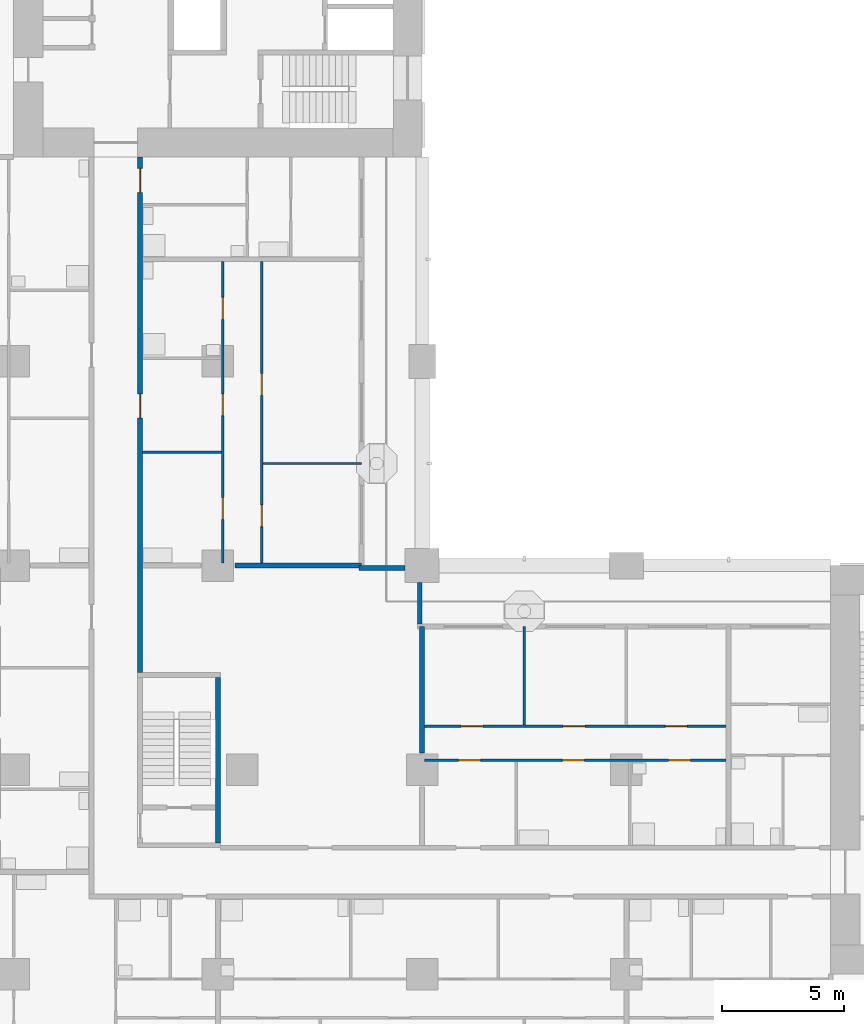
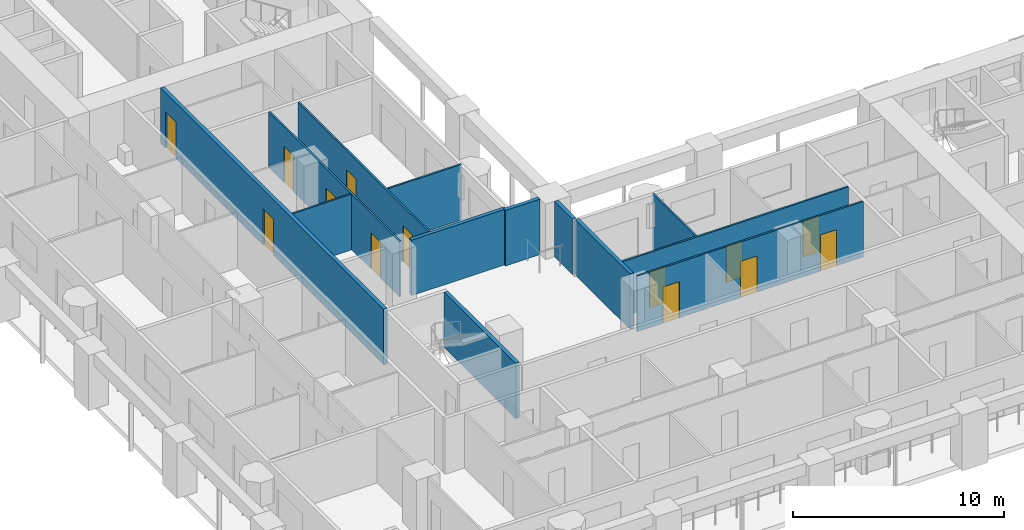
# One storey, part 4 of 20: 13 doors, 13 walls, 13 openings.
"""IFC4 building model written with IfcOpenShell, lengths in metres."""

from ifc_helpers import new_model, si_unit, direction, frame, frame_2d, origin, place, context, subcontext, project, spatial, rectangle, extrude, material, layer, layer_set, type_object, element, fill, save


model = new_model("IFC4")

# Units and contexts
model_context = context("Model", 3, precision=1e-05, world=origin(), true_north=direction((0.0, 1.0)))
body_context = subcontext(model_context, "Body", "Model", "MODEL_VIEW")
ifc_project = project(units=[si_unit("LENGTHUNIT", "METRE"), si_unit("AREAUNIT", "SQUARE_METRE"), si_unit("VOLUMEUNIT", "CUBIC_METRE"), si_unit("PLANEANGLEUNIT", "RADIAN"), si_unit("MASSUNIT", "GRAM", prefix="KILO")], contexts=[model_context])

# Site, building, storey
site_placement = place(None, origin())
site = spatial("IfcSite", under=ifc_project, at=site_placement, CompositionType="ELEMENT")
building_placement = place(site_placement, origin())
building = spatial("IfcBuilding", under=site, at=building_placement, Name="Vermilion Gate Residences", CompositionType="ELEMENT")
storey_placement = place(building_placement, frame((0.0, 0.0, 42.699951171875)))
storey = spatial("IfcBuildingStorey", under=building, at=storey_placement, Name="L09", CompositionType="ELEMENT", Elevation=42.699951171875)

# Walls
ifc_material_1 = material(Name="Insulated steel stud wall with terracotta rainscreen", Category="masonry")
ifc_layer_1 = layer(ifc_material_1, 0.199951171875)
ifc_layer_set_1 = layer_set([ifc_layer_1], Name="EXTERNAL WALL 200 TERRACOTTA RAINSCREEN")
wall_type_1 = type_object("IfcWallType", Name="EXTERNAL WALL 200 TERRACOTTA RAINSCREEN", PredefinedType="SOLIDWALL", material=ifc_layer_set_1)
wall_1_placement = place(storey_placement, frame((25.10009765625, 22.800048828125, 0.0), z_axis=(0.0, 0.0, 1.0), x_axis=(0.0, 1.0, 0.0)))
element("IfcWall", 1, at=wall_1_placement, inside=storey, type_object=wall_type_1, Name="External wall", PredefinedType="SOLIDWALL", context=body_context, shape_type="SweptSolid", body=[
    extrude(rectangle(XDim=1.699951171875, YDim=0.199951171875, at=frame_2d((0.85009765625, 0.0))), origin(), (0.0, 0.0, 1.0), 3.219970703125),
])
wall_2_placement = place(storey_placement, frame((24.5, 25.10009765625, 0.0), z_axis=(0.0, 0.0, 1.0), x_axis=(-1.0, 0.0, 0.0)))
element("IfcWall", 2, at=wall_2_placement, inside=storey, type_object=wall_type_1, Name="External wall", PredefinedType="SOLIDWALL", context=body_context, shape_type="SweptSolid", body=[
    extrude(rectangle(XDim=1.89990234375, YDim=0.199951171875, at=frame_2d((0.949951171875, 0.0))), origin(), (0.0, 0.0, 1.0), 3.219970703125),
])

# Wall, openings, doors
ifc_material_2 = material(Name="Plasterboard on steel studs", Category="steel")
ifc_layer_2 = layer(ifc_material_2, 0.10009765625)
ifc_layer_set_2 = layer_set([ifc_layer_2], Name="PARTITION 100")
wall_type_2 = type_object("IfcWallType", Name="PARTITION 100", PredefinedType="PARTITIONING", material=ifc_layer_set_2)
wall_3_placement = place(storey_placement, frame((25.300048828125, 17.199951171875, 0.0), z_axis=(0.0, 0.0, 1.0), x_axis=(1.0, 0.0, 0.0)))
wall_3 = element("IfcWall", 3, at=wall_3_placement, inside=storey, type_object=wall_type_2, Name="Partition", PredefinedType="PARTITIONING", context=body_context, shape_type="SweptSolid", body=[
    extrude(rectangle(XDim=12.39990234375, YDim=0.10009765625, at=frame_2d((6.199951171875, 0.0))), origin(), (0.0, 0.0, 1.0), 3.219970703125),
])
opening_1_placement = place(wall_3_placement, frame((1.39990234375, 0.0, 0.0)))
opening_1 = element("IfcOpeningElement", 4, at=opening_1_placement, cuts=wall_3, Name="Opening DA07027", PredefinedType="OPENING", context=body_context, shape_type="SweptSolid", body=[
    extrude(rectangle(XDim=0.89990234375, YDim=2.10009765625, at=frame_2d((0.449951171875, 1.050048828125))), frame((0.0, 0.06005859375, 0.0), z_axis=(0.0, -1.0, 0.0), x_axis=(1.0, 0.0, 0.0)), (0.0, 0.0, 1.0), 0.1201171875),
])
opening_2_placement = place(wall_3_placement, frame((5.6669921875, 0.0, 0.0)))
opening_2 = element("IfcOpeningElement", 5, at=opening_2_placement, cuts=wall_3, Name="Opening DA07028", PredefinedType="OPENING", context=body_context, shape_type="SweptSolid", body=[
    extrude(rectangle(XDim=0.89990234375, YDim=2.10009765625, at=frame_2d((0.449951171875, 1.050048828125))), frame((0.0, 0.06005859375, 0.0), z_axis=(0.0, -1.0, 0.0), x_axis=(1.0, 0.0, 0.0)), (0.0, 0.0, 1.0), 0.1201171875),
])
opening_3_placement = place(wall_3_placement, frame((10.032958984375, 0.0, 0.0)))
opening_3 = element("IfcOpeningElement", 6, at=opening_3_placement, cuts=wall_3, Name="Opening DA07029", PredefinedType="OPENING", context=body_context, shape_type="SweptSolid", body=[
    extrude(rectangle(XDim=0.89990234375, YDim=2.10009765625, at=frame_2d((0.449951171875, 1.050048828125))), frame((0.0, 0.06005859375, 0.0), z_axis=(0.0, -1.0, 0.0), x_axis=(1.0, 0.0, 0.0)), (0.0, 0.0, 1.0), 0.1201171875),
])
ifc_material_3 = material(Name="Timber", Category="wood")
door_type_1 = type_object("IfcDoorType", Name="INTERIOR DOOR 900 X 2100", OperationType="SINGLE_SWING_LEFT", PredefinedType="DOOR", material=ifc_material_3)
door_1_placement = place(opening_1_placement, frame((0.89990234375, 0.0, 0.0), z_axis=(0.0, 0.0, 1.0), x_axis=(-1.0, 0.0, 0.0)))
door_1 = element("IfcDoor", 7, at=door_1_placement, inside=storey, type_object=door_type_1, Name="Interior door", OperationType="SINGLE_SWING_RIGHT", OverallHeight=2.10009765625, OverallWidth=0.89990234375, PredefinedType="DOOR", context=body_context, shape_type="SweptSolid", body=[
    extrude(rectangle(XDim=0.89990234375, YDim=2.10009765625, at=frame_2d((0.449951171875, 1.050048828125))), frame((0.0, 0.02490234375, 0.0), z_axis=(0.0, -1.0, 0.0), x_axis=(1.0, 0.0, 0.0)), (0.0, 0.0, 1.0), 0.050048828125),
])
fill(opening_1, door_1)
door_2_placement = place(opening_2_placement, frame((0.89990234375, 0.0, 0.0), z_axis=(0.0, 0.0, 1.0), x_axis=(-1.0, 0.0, 0.0)))
door_2 = element("IfcDoor", 8, at=door_2_placement, inside=storey, type_object=door_type_1, Name="Interior door", OperationType="SINGLE_SWING_LEFT", OverallHeight=2.10009765625, OverallWidth=0.89990234375, PredefinedType="DOOR", context=body_context, shape_type="SweptSolid", body=[
    extrude(rectangle(XDim=0.89990234375, YDim=2.10009765625, at=frame_2d((0.449951171875, 1.050048828125))), frame((0.0, 0.02490234375, 0.0), z_axis=(0.0, -1.0, 0.0), x_axis=(1.0, 0.0, 0.0)), (0.0, 0.0, 1.0), 0.050048828125),
])
fill(opening_2, door_2)
door_3_placement = place(opening_3_placement, frame((0.89990234375, 0.0, 0.0), z_axis=(0.0, 0.0, 1.0), x_axis=(-1.0, 0.0, 0.0)))
door_3 = element("IfcDoor", 9, at=door_3_placement, inside=storey, type_object=door_type_1, Name="Interior door", OperationType="SINGLE_SWING_RIGHT", OverallHeight=2.10009765625, OverallWidth=0.89990234375, PredefinedType="DOOR", context=body_context, shape_type="SweptSolid", body=[
    extrude(rectangle(XDim=0.89990234375, YDim=2.10009765625, at=frame_2d((0.449951171875, 1.050048828125))), frame((0.0, 0.02490234375, 0.0), z_axis=(0.0, -1.0, 0.0), x_axis=(1.0, 0.0, 0.0)), (0.0, 0.0, 1.0), 0.050048828125),
])
fill(opening_3, door_3)

wall_4_placement = place(storey_placement, frame((25.300048828125, 18.60009765625, 0.0), z_axis=(0.0, 0.0, 1.0), x_axis=(1.0, 0.0, 0.0)))
wall_4 = element("IfcWall", 10, at=wall_4_placement, inside=storey, type_object=wall_type_2, Name="Partition", PredefinedType="PARTITIONING", context=body_context, shape_type="SweptSolid", body=[
    extrude(rectangle(XDim=12.39990234375, YDim=0.10009765625, at=frame_2d((6.199951171875, 0.0))), origin(), (0.0, 0.0, 1.0), 3.219970703125),
])
opening_4_placement = place(wall_4_placement, frame((1.5, 0.0, 0.0)))
opening_4 = element("IfcOpeningElement", 11, at=opening_4_placement, cuts=wall_4, Name="Opening DA07032", PredefinedType="OPENING", context=body_context, shape_type="SweptSolid", body=[
    extrude(rectangle(XDim=0.89990234375, YDim=2.10009765625, at=frame_2d((0.449951171875, 1.050048828125))), frame((0.0, 0.06005859375, 0.0), z_axis=(0.0, -1.0, 0.0), x_axis=(1.0, 0.0, 0.0)), (0.0, 0.0, 1.0), 0.1201171875),
])
opening_5_placement = place(wall_4_placement, frame((5.699951171875, 0.0, 0.0)))
opening_5 = element("IfcOpeningElement", 12, at=opening_5_placement, cuts=wall_4, Name="Opening DA07033", PredefinedType="OPENING", context=body_context, shape_type="SweptSolid", body=[
    extrude(rectangle(XDim=0.89990234375, YDim=2.10009765625, at=frame_2d((0.449951171875, 1.050048828125))), frame((0.0, 0.06005859375, 0.0), z_axis=(0.0, -1.0, 0.0), x_axis=(1.0, 0.0, 0.0)), (0.0, 0.0, 1.0), 0.1201171875),
])
opening_6_placement = place(wall_4_placement, frame((9.89990234375, 0.0, 0.0)))
opening_6 = element("IfcOpeningElement", 13, at=opening_6_placement, cuts=wall_4, Name="Opening DA07034", PredefinedType="OPENING", context=body_context, shape_type="SweptSolid", body=[
    extrude(rectangle(XDim=0.89990234375, YDim=2.10009765625, at=frame_2d((0.449951171875, 1.050048828125))), frame((0.0, 0.06005859375, 0.0), z_axis=(0.0, -1.0, 0.0), x_axis=(1.0, 0.0, 0.0)), (0.0, 0.0, 1.0), 0.1201171875),
])
door_4_placement = place(opening_4_placement, origin())
door_4 = element("IfcDoor", 14, at=door_4_placement, inside=storey, type_object=door_type_1, Name="Interior door", OperationType="SINGLE_SWING_LEFT", OverallHeight=2.10009765625, OverallWidth=0.89990234375, PredefinedType="DOOR", context=body_context, shape_type="SweptSolid", body=[
    extrude(rectangle(XDim=0.89990234375, YDim=2.10009765625, at=frame_2d((0.449951171875, 1.050048828125))), frame((0.0, 0.02490234375, 0.0), z_axis=(0.0, -1.0, 0.0), x_axis=(1.0, 0.0, 0.0)), (0.0, 0.0, 1.0), 0.050048828125),
])
fill(opening_4, door_4)
door_5_placement = place(opening_5_placement, origin())
door_5 = element("IfcDoor", 15, at=door_5_placement, inside=storey, type_object=door_type_1, Name="Interior door", OperationType="SINGLE_SWING_LEFT", OverallHeight=2.10009765625, OverallWidth=0.89990234375, PredefinedType="DOOR", context=body_context, shape_type="SweptSolid", body=[
    extrude(rectangle(XDim=0.89990234375, YDim=2.10009765625, at=frame_2d((0.449951171875, 1.050048828125))), frame((0.0, 0.02490234375, 0.0), z_axis=(0.0, -1.0, 0.0), x_axis=(1.0, 0.0, 0.0)), (0.0, 0.0, 1.0), 0.050048828125),
])
fill(opening_5, door_5)
door_6_placement = place(opening_6_placement, origin())
door_6 = element("IfcDoor", 16, at=door_6_placement, inside=storey, type_object=door_type_1, Name="Interior door", OperationType="SINGLE_SWING_LEFT", OverallHeight=2.10009765625, OverallWidth=0.89990234375, PredefinedType="DOOR", context=body_context, shape_type="SweptSolid", body=[
    extrude(rectangle(XDim=0.89990234375, YDim=2.10009765625, at=frame_2d((0.449951171875, 1.050048828125))), frame((0.0, 0.02490234375, 0.0), z_axis=(0.0, -1.0, 0.0), x_axis=(1.0, 0.0, 0.0)), (0.0, 0.0, 1.0), 0.050048828125),
])
fill(opening_6, door_6)

# Walls
wall_5_placement = place(storey_placement, frame((18.64990234375, 29.39990234375, 0.0), z_axis=(0.0, 0.0, 1.0), x_axis=(1.0, 0.0, 0.0)))
element("IfcWall", 17, at=wall_5_placement, inside=storey, type_object=wall_type_2, Name="Partition", PredefinedType="PARTITIONING", context=body_context, shape_type="SweptSolid", body=[
    extrude(rectangle(XDim=4.050048828125, YDim=0.10009765625, at=frame_2d((2.02490234375, 0.0))), origin(), (0.0, 0.0, 1.0), 3.219970703125),
])
wall_6_placement = place(storey_placement, frame((13.699951171875, 29.866943359375, 0.0), z_axis=(0.0, 0.0, 1.0), x_axis=(1.0, 0.0, 0.0)))
element("IfcWall", 18, at=wall_6_placement, inside=storey, type_object=wall_type_2, Name="Partition", PredefinedType="PARTITIONING", context=body_context, shape_type="SweptSolid", body=[
    extrude(rectangle(XDim=3.25, YDim=0.10009765625, at=frame_2d((1.625, 0.0))), origin(), (0.0, 0.0, 1.0), 3.219970703125),
])

# Wall, openings, doors
wall_7_placement = place(storey_placement, frame((17.0, 25.300048828125, 0.0), z_axis=(0.0, 0.0, 1.0), x_axis=(0.0, 1.0, 0.0)))
wall_7 = element("IfcWall", 19, at=wall_7_placement, inside=storey, type_object=wall_type_2, Name="Partition", PredefinedType="PARTITIONING", context=body_context, shape_type="SweptSolid", body=[
    extrude(rectangle(XDim=12.39990234375, YDim=0.10009765625, at=frame_2d((6.199951171875, 0.0))), origin(), (0.0, 0.0, 1.0), 3.219970703125),
])
opening_7_placement = place(wall_7_placement, frame((6.06689453125, 0.0, 0.0)))
opening_7 = element("IfcOpeningElement", 20, at=opening_7_placement, cuts=wall_7, Name="Opening DA07057", PredefinedType="OPENING", context=body_context, shape_type="SweptSolid", body=[
    extrude(rectangle(XDim=0.89990234375, YDim=2.10009765625, at=frame_2d((0.449951171875, 1.050048828125))), frame((0.0, 0.06005859375, 0.0), z_axis=(0.0, -1.0, 0.0), x_axis=(1.0, 0.0, 0.0)), (0.0, 0.0, 1.0), 0.1201171875),
])
opening_8_placement = place(wall_7_placement, frame((1.800048828125, 0.0, 0.0)))
opening_8 = element("IfcOpeningElement", 21, at=opening_8_placement, cuts=wall_7, Name="Opening DA07058", PredefinedType="OPENING", context=body_context, shape_type="SweptSolid", body=[
    extrude(rectangle(XDim=0.89990234375, YDim=2.10009765625, at=frame_2d((0.449951171875, 1.050048828125))), frame((0.0, 0.06005859375, 0.0), z_axis=(0.0, -1.0, 0.0), x_axis=(1.0, 0.0, 0.0)), (0.0, 0.0, 1.0), 0.1201171875),
])
opening_9_placement = place(wall_7_placement, frame((10.032958984375, 0.0, 0.0)))
opening_9 = element("IfcOpeningElement", 22, at=opening_9_placement, cuts=wall_7, Name="Opening DA07059", PredefinedType="OPENING", context=body_context, shape_type="SweptSolid", body=[
    extrude(rectangle(XDim=0.89990234375, YDim=2.10009765625, at=frame_2d((0.449951171875, 1.050048828125))), frame((0.0, 0.06005859375, 0.0), z_axis=(0.0, -1.0, 0.0), x_axis=(1.0, 0.0, 0.0)), (0.0, 0.0, 1.0), 0.1201171875),
])
door_7_placement = place(opening_7_placement, origin())
door_7 = element("IfcDoor", 23, at=door_7_placement, inside=storey, type_object=door_type_1, Name="Interior door", OperationType="SINGLE_SWING_RIGHT", OverallHeight=2.10009765625, OverallWidth=0.89990234375, PredefinedType="DOOR", context=body_context, shape_type="SweptSolid", body=[
    extrude(rectangle(XDim=0.89990234375, YDim=2.10009765625, at=frame_2d((0.449951171875, 1.050048828125))), frame((0.0, 0.02490234375, 0.0), z_axis=(0.0, -1.0, 0.0), x_axis=(1.0, 0.0, 0.0)), (0.0, 0.0, 1.0), 0.050048828125),
])
fill(opening_7, door_7)
door_8_placement = place(opening_8_placement, origin())
door_8 = element("IfcDoor", 24, at=door_8_placement, inside=storey, type_object=door_type_1, Name="Interior door", OperationType="SINGLE_SWING_LEFT", OverallHeight=2.10009765625, OverallWidth=0.89990234375, PredefinedType="DOOR", context=body_context, shape_type="SweptSolid", body=[
    extrude(rectangle(XDim=0.89990234375, YDim=2.10009765625, at=frame_2d((0.449951171875, 1.050048828125))), frame((0.0, 0.02490234375, 0.0), z_axis=(0.0, -1.0, 0.0), x_axis=(1.0, 0.0, 0.0)), (0.0, 0.0, 1.0), 0.050048828125),
])
fill(opening_8, door_8)
door_9_placement = place(opening_9_placement, origin())
door_9 = element("IfcDoor", 25, at=door_9_placement, inside=storey, type_object=door_type_1, Name="Interior door", OperationType="SINGLE_SWING_LEFT", OverallHeight=2.10009765625, OverallWidth=0.89990234375, PredefinedType="DOOR", context=body_context, shape_type="SweptSolid", body=[
    extrude(rectangle(XDim=0.89990234375, YDim=2.10009765625, at=frame_2d((0.449951171875, 1.050048828125))), frame((0.0, 0.02490234375, 0.0), z_axis=(0.0, -1.0, 0.0), x_axis=(1.0, 0.0, 0.0)), (0.0, 0.0, 1.0), 0.050048828125),
])
fill(opening_9, door_9)

wall_8_placement = place(storey_placement, frame((18.60009765625, 25.300048828125, 0.0), z_axis=(0.0, 0.0, 1.0), x_axis=(0.0, 1.0, 0.0)))
wall_8 = element("IfcWall", 26, at=wall_8_placement, inside=storey, type_object=wall_type_2, Name="Partition", PredefinedType="PARTITIONING", context=body_context, shape_type="SweptSolid", body=[
    extrude(rectangle(XDim=12.39990234375, YDim=0.10009765625, at=frame_2d((6.199951171875, 0.0))), origin(), (0.0, 0.0, 1.0), 3.219970703125),
])
opening_10_placement = place(wall_8_placement, frame((1.5, 0.0, 0.0)))
opening_10 = element("IfcOpeningElement", 27, at=opening_10_placement, cuts=wall_8, Name="Opening DA07062", PredefinedType="OPENING", context=body_context, shape_type="SweptSolid", body=[
    extrude(rectangle(XDim=0.89990234375, YDim=2.10009765625, at=frame_2d((0.449951171875, 1.050048828125))), frame((0.0, 0.06005859375, 0.0), z_axis=(0.0, -1.0, 0.0), x_axis=(1.0, 0.0, 0.0)), (0.0, 0.0, 1.0), 0.1201171875),
])
opening_11_placement = place(wall_8_placement, frame((6.89990234375, 0.0, 0.0)))
opening_11 = element("IfcOpeningElement", 28, at=opening_11_placement, cuts=wall_8, Name="Opening DA07063", PredefinedType="OPENING", context=body_context, shape_type="SweptSolid", body=[
    extrude(rectangle(XDim=0.89990234375, YDim=2.10009765625, at=frame_2d((0.449951171875, 1.050048828125))), frame((0.0, 0.06005859375, 0.0), z_axis=(0.0, -1.0, 0.0), x_axis=(1.0, 0.0, 0.0)), (0.0, 0.0, 1.0), 0.1201171875),
])
door_10_placement = place(opening_10_placement, frame((0.89990234375, 0.0, 0.0), z_axis=(0.0, 0.0, 1.0), x_axis=(-1.0, 0.0, 0.0)))
door_10 = element("IfcDoor", 29, at=door_10_placement, inside=storey, type_object=door_type_1, Name="Interior door", OperationType="SINGLE_SWING_RIGHT", OverallHeight=2.10009765625, OverallWidth=0.89990234375, PredefinedType="DOOR", context=body_context, shape_type="SweptSolid", body=[
    extrude(rectangle(XDim=0.89990234375, YDim=2.10009765625, at=frame_2d((0.449951171875, 1.050048828125))), frame((0.0, 0.02490234375, 0.0), z_axis=(0.0, -1.0, 0.0), x_axis=(1.0, 0.0, 0.0)), (0.0, 0.0, 1.0), 0.050048828125),
])
fill(opening_10, door_10)
door_11_placement = place(opening_11_placement, frame((0.89990234375, 0.0, 0.0), z_axis=(0.0, 0.0, 1.0), x_axis=(-1.0, 0.0, 0.0)))
door_11 = element("IfcDoor", 30, at=door_11_placement, inside=storey, type_object=door_type_1, Name="Interior door", OperationType="SINGLE_SWING_RIGHT", OverallHeight=2.10009765625, OverallWidth=0.89990234375, PredefinedType="DOOR", context=body_context, shape_type="SweptSolid", body=[
    extrude(rectangle(XDim=0.89990234375, YDim=2.10009765625, at=frame_2d((0.449951171875, 1.050048828125))), frame((0.0, 0.02490234375, 0.0), z_axis=(0.0, -1.0, 0.0), x_axis=(1.0, 0.0, 0.0)), (0.0, 0.0, 1.0), 0.050048828125),
])
fill(opening_11, door_11)

# Walls
wall_9_placement = place(storey_placement, frame((29.39990234375, 18.64990234375, 0.0), z_axis=(0.0, 0.0, 1.0), x_axis=(0.0, 1.0, 0.0)))
element("IfcWall", 31, at=wall_9_placement, inside=storey, type_object=wall_type_2, Name="Partition", PredefinedType="PARTITIONING", context=body_context, shape_type="SweptSolid", body=[
    extrude(rectangle(XDim=4.050048828125, YDim=0.10009765625, at=frame_2d((2.02490234375, 0.0))), origin(), (0.0, 0.0, 1.0), 3.219970703125),
])
ifc_material_4 = material(Name="Fire-rated plasterboard on steel studs", Category="steel")
ifc_layer_3 = layer(ifc_material_4, 0.199951171875)
ifc_layer_set_3 = layer_set([ifc_layer_3], Name="PARTY WALL 200 EI 120")
wall_type_3 = type_object("IfcWallType", Name="PARTY WALL 200 EI 120", PredefinedType="PARTITIONING", material=ifc_layer_set_3)
wall_10_placement = place(storey_placement, frame((17.5, 25.199951171875, 0.0), z_axis=(0.0, 0.0, 1.0), x_axis=(1.0, 0.0, 0.0)))
element("IfcWall", 32, at=wall_10_placement, inside=storey, type_object=wall_type_3, Name="Party and corridor wall", PredefinedType="PARTITIONING", context=body_context, shape_type="SweptSolid", body=[
    extrude(rectangle(XDim=5.199951171875, YDim=0.199951171875, at=frame_2d((2.60009765625, 0.0))), origin(), (0.0, 0.0, 1.0), 3.219970703125),
])

# Wall, openings, doors
wall_11_placement = place(storey_placement, frame((13.60009765625, 20.800048828125, 0.0), z_axis=(0.0, 0.0, 1.0), x_axis=(0.0, 1.0, 0.0)))
wall_11 = element("IfcWall", 33, at=wall_11_placement, inside=storey, type_object=wall_type_3, Name="Party and corridor wall", PredefinedType="PARTITIONING", context=body_context, shape_type="SweptSolid", body=[
    extrude(rectangle(XDim=21.199951171875, YDim=0.199951171875, at=frame_2d((10.60009765625, 0.0))), origin(), (0.0, 0.0, 1.0), 3.219970703125),
])
opening_12_placement = place(wall_11_placement, frame((10.467041015625, 0.0, 0.0)))
opening_12 = element("IfcOpeningElement", 34, at=opening_12_placement, cuts=wall_11, Name="Opening DA07055", PredefinedType="OPENING", context=body_context, shape_type="SweptSolid", body=[
    extrude(rectangle(XDim=1.0, YDim=2.10009765625, at=frame_2d((0.5, 1.050048828125))), frame((0.0, 0.10986328125, 0.0), z_axis=(0.0, -1.0, 0.0), x_axis=(1.0, 0.0, 0.0)), (0.0, 0.0, 1.0), 0.219970703125),
])
opening_13_placement = place(wall_11_placement, frame((19.739990234375, 0.0, 0.0)))
opening_13 = element("IfcOpeningElement", 35, at=opening_13_placement, cuts=wall_11, Name="Opening DA07056", PredefinedType="OPENING", context=body_context, shape_type="SweptSolid", body=[
    extrude(rectangle(XDim=1.0, YDim=2.10009765625, at=frame_2d((0.5, 1.050048828125))), frame((0.0, 0.10986328125, 0.0), z_axis=(0.0, -1.0, 0.0), x_axis=(1.0, 0.0, 0.0)), (0.0, 0.0, 1.0), 0.219970703125),
])
ifc_material_5 = material(Name="Steel", Category="steel")
door_type_2 = type_object("IfcDoorType", Name="ENTRANCE DOOR 1000 X 2100 FD30", OperationType="SINGLE_SWING_LEFT", PredefinedType="DOOR", material=ifc_material_5)
door_12_placement = place(opening_12_placement, frame((1.0, 0.0, 0.0), z_axis=(0.0, 0.0, 1.0), x_axis=(-1.0, 0.0, 0.0)))
door_12 = element("IfcDoor", 36, at=door_12_placement, inside=storey, type_object=door_type_2, Name="Entrance door", OperationType="SINGLE_SWING_RIGHT", OverallHeight=2.10009765625, OverallWidth=1.0, PredefinedType="DOOR", context=body_context, shape_type="SweptSolid", body=[
    extrude(rectangle(XDim=1.0, YDim=2.10009765625, at=frame_2d((0.5, 1.050048828125))), frame((0.0, 0.02490234375, 0.0), z_axis=(0.0, -1.0, 0.0), x_axis=(1.0, 0.0, 0.0)), (0.0, 0.0, 1.0), 0.050048828125),
])
fill(opening_12, door_12)
door_13_placement = place(opening_13_placement, frame((1.0, 0.0, 0.0), z_axis=(0.0, 0.0, 1.0), x_axis=(-1.0, 0.0, 0.0)))
door_13 = element("IfcDoor", 37, at=door_13_placement, inside=storey, type_object=door_type_2, Name="Entrance door", OperationType="SINGLE_SWING_RIGHT", OverallHeight=2.10009765625, OverallWidth=1.0, PredefinedType="DOOR", context=body_context, shape_type="SweptSolid", body=[
    extrude(rectangle(XDim=1.0, YDim=2.10009765625, at=frame_2d((0.5, 1.050048828125))), frame((0.0, 0.02490234375, 0.0), z_axis=(0.0, -1.0, 0.0), x_axis=(1.0, 0.0, 0.0)), (0.0, 0.0, 1.0), 0.050048828125),
])
fill(opening_13, door_13)

# Walls
wall_12_placement = place(storey_placement, frame((25.199951171875, 17.5, 0.0), z_axis=(0.0, 0.0, 1.0), x_axis=(0.0, 1.0, 0.0)))
element("IfcWall", 38, at=wall_12_placement, inside=storey, type_object=wall_type_3, Name="Party and corridor wall", PredefinedType="PARTITIONING", context=body_context, shape_type="SweptSolid", body=[
    extrude(rectangle(XDim=5.199951171875, YDim=0.199951171875, at=frame_2d((2.60009765625, 0.0))), origin(), (0.0, 0.0, 1.0), 3.219970703125),
])
ifc_material_6 = material(Name="Concrete C60", Category="concrete")
ifc_layer_4 = layer(ifc_material_6, 0.199951171875)
ifc_layer_set_4 = layer_set([ifc_layer_4], Name="RC CORE INTERNAL WALL 200 C60")
wall_type_4 = type_object("IfcWallType", Name="RC CORE INTERNAL WALL 200 C60", PredefinedType="SHEAR", material=ifc_layer_set_4)
wall_13_placement = place(storey_placement, frame((16.800048828125, 13.800048828125, 0.0), z_axis=(0.0, 0.0, 1.0), x_axis=(0.0, 1.0, 0.0)))
element("IfcWall", 39, at=wall_13_placement, inside=storey, type_object=wall_type_4, Name="Core internal wall C09-E", PredefinedType="SHEAR", context=body_context, shape_type="SweptSolid", body=[
    extrude(rectangle(XDim=6.800048828125, YDim=0.199951171875, at=frame_2d((3.39990234375, 0.0))), origin(), (0.0, 0.0, 1.0), 3.219970703125),
])

save(model, "model.ifc")
